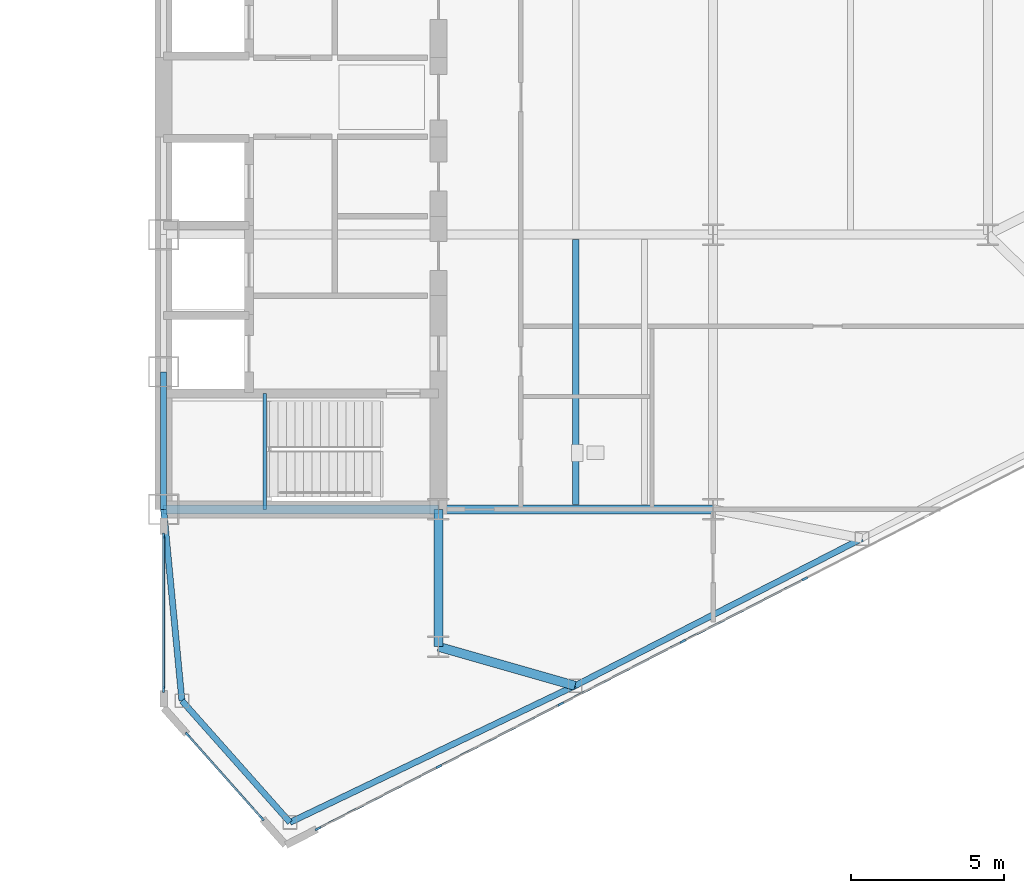
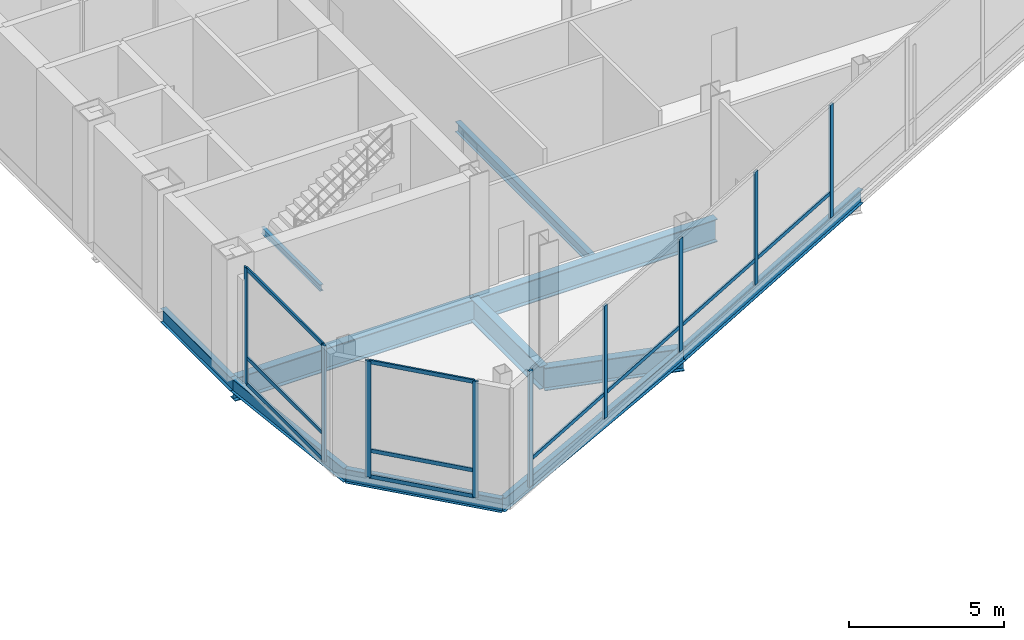
# One storey, part 8 of 22: 19 members, 11 beams, 3 elements without a shape of their own.
"""IFC4 building model written with IfcOpenShell, lengths in metres."""

import ifcopenshell
import ifcopenshell.guid

model = None  # the IFC model being written
_history = None  # IfcOwnerHistory: only IFC2X3 demands one
_inside = {}  # id of a spatial element -> (the spatial element, [elements in it])
_under = {}  # id of a project, library or spatial element -> (it, [spatial elements below it])
_declared = {}  # id of a project -> (the project, [libraries it declares])
_typed = {}  # id of a type object -> (the type object, [elements of that type])
_made_of = {}  # id of a material, layer set ... -> (it, [elements and type objects made of it])


def new_model(schema):
    """Start an empty IFC model of exactly this schema.

    Asked for "IFC4X3", IfcOpenShell would pick the latest addendum, in which some entities
    have other attributes; the version numbers below select the first issue.
    IFC2X3 requires an IfcOwnerHistory on every rooted entity: one is made here for all.
    """
    global model, _history
    if schema == "IFC4X3":
        model = ifcopenshell.file(schema_version=(4, 3, 0, 0))
    else:
        model = ifcopenshell.file(schema=schema)
    _inside.clear()
    _under.clear()
    _declared.clear()
    _typed.clear()
    _made_of.clear()
    _history = None
    if model.schema == "IFC2X3":
        org = make("IfcOrganization", Name="unknown")
        user = make(
            "IfcPersonAndOrganization",
            ThePerson=make("IfcPerson", FamilyName="unknown"),
            TheOrganization=org,
        )
        app = make(
            "IfcApplication",
            ApplicationDeveloper=org,
            Version="unknown",
            ApplicationFullName="unknown",
            ApplicationIdentifier="unknown",
        )
        _history = make(
            "IfcOwnerHistory",
            OwningUser=user,
            OwningApplication=app,
            ChangeAction="ADDED",
            CreationDate=0,
        )
    return model


def make(cls, **values):
    """One entity of the class cls with the attributes given. An attribute that is None is left unset."""
    return model.create_entity(
        cls, **{name: value for name, value in values.items() if value is not None}
    )


def rooted(cls, **values):
    """An entity with a GlobalId (a new one), such as an element, a storey or a relation."""
    return make(cls, GlobalId=ifcopenshell.guid.new(), OwnerHistory=_history, **values)


def si_unit(unit_type, name, prefix=None):
    """IfcSIUnit, for example si_unit("LENGTHUNIT", "METRE", prefix="MILLI")."""
    return make("IfcSIUnit", UnitType=unit_type, Prefix=prefix, Name=name)


def assignment(units):
    """IfcUnitAssignment: the units of a project."""
    return None if units is None else make("IfcUnitAssignment", Units=units)


def point(xyz):
    """IfcCartesianPoint."""
    return None if xyz is None else make("IfcCartesianPoint", Coordinates=xyz)


def direction(xyz):
    """IfcDirection."""
    return None if xyz is None else make("IfcDirection", DirectionRatios=xyz)


def frame(location, z_axis=None, x_axis=None):
    """IfcAxis2Placement3D, a coordinate frame: its origin and axes. An axis left out is left unset."""
    return make(
        "IfcAxis2Placement3D",
        Location=point(location),
        Axis=direction(z_axis),
        RefDirection=direction(x_axis),
    )


def frame_2d(location, x_axis=None):
    """IfcAxis2Placement2D, a coordinate frame in the plane: its origin and x axis."""
    return make(
        "IfcAxis2Placement2D", Location=point(location), RefDirection=direction(x_axis)
    )


def origin():
    """The frame at (0, 0, 0) with its axes left unset."""
    return frame((0.0, 0.0, 0.0))


def origin_2d():
    """The frame at (0, 0) in the plane with its x axis left unset."""
    return frame_2d((0.0, 0.0))


def place(relative_to, where):
    """IfcLocalPlacement: puts the frame where relative to a parent placement (None: the world)."""
    return make(
        "IfcLocalPlacement", PlacementRelTo=relative_to, RelativePlacement=where
    )


def context(
    kind, dimensions, precision=None, world=None, true_north=None, identifier=None
):
    """IfcGeometricRepresentationContext, for example the 3D "Model" context."""
    return make(
        "IfcGeometricRepresentationContext",
        ContextIdentifier=identifier,
        ContextType=kind,
        CoordinateSpaceDimension=dimensions,
        Precision=precision,
        WorldCoordinateSystem=world,
        TrueNorth=true_north,
    )


def subcontext(parent, identifier, kind, view, scale=None):
    """IfcGeometricRepresentationSubContext, for example "Body" below "Model"."""
    return make(
        "IfcGeometricRepresentationSubContext",
        ContextIdentifier=identifier,
        ContextType=kind,
        ParentContext=parent,
        TargetScale=scale,
        TargetView=view,
    )


def project(units=None, contexts=None):
    """IfcProject with its units and contexts."""
    return rooted(
        "IfcProject",
        Name="project",
        RepresentationContexts=contexts,
        UnitsInContext=assignment(units),
    )


def spatial(cls, under=None, at=None, **own):
    """A site, building, storey or space (cls), placed at a placement, below another one or the project."""
    s = rooted(cls, ObjectPlacement=at, **own)
    if under is not None:
        _under.setdefault(under.id(), (under, []))[1].append(s)
    return s


def profile(cls, at=None, kind="AREA", **sizes):
    """A parametric profile (cls). Its sizes go by their IFC names, for example OverallWidth=200.0."""
    return make(cls, ProfileType=kind, Position=at, **sizes)


def rectangle(**sizes):
    """IfcRectangleProfileDef."""
    return profile("IfcRectangleProfileDef", **sizes)


def i_section(**sizes):
    """IfcIShapeProfileDef."""
    return profile("IfcIShapeProfileDef", **sizes)


def extrude(swept, where, along, depth):
    """IfcExtrudedAreaSolid: the profile swept, set in the frame where, extruded along a direction by depth."""
    return make(
        "IfcExtrudedAreaSolid",
        SweptArea=swept,
        Position=where,
        ExtrudedDirection=direction(along),
        Depth=depth,
    )


def shape(context_of_items, identifier, shape_type, items):
    """IfcShapeRepresentation: the items that make up one representation, for example the "Body"."""
    return make(
        "IfcShapeRepresentation",
        ContextOfItems=context_of_items,
        RepresentationIdentifier=identifier,
        RepresentationType=shape_type,
        Items=items,
    )


def source(mapping_origin, context_of_items, identifier, shape_type, items):
    """IfcRepresentationMap: a shape defined once, which mapped items show again and again."""
    return make(
        "IfcRepresentationMap",
        MappingOrigin=mapping_origin,
        MappedRepresentation=shape(context_of_items, identifier, shape_type, items),
    )


def transform(
    local_origin,
    x_axis=None,
    y_axis=None,
    z_axis=None,
    scale=None,
    scale2=None,
    scale3=None,
    uniform=True,
):
    """IfcCartesianTransformationOperator3D, or its non-uniform kind. x_axis, y_axis, z_axis: its Axis1, 2, 3."""
    if uniform:
        return make(
            "IfcCartesianTransformationOperator3D",
            Axis1=direction(x_axis),
            Axis2=direction(y_axis),
            LocalOrigin=point(local_origin),
            Scale=scale,
            Axis3=direction(z_axis),
        )
    return make(
        "IfcCartesianTransformationOperator3DnonUniform",
        Axis1=direction(x_axis),
        Axis2=direction(y_axis),
        LocalOrigin=point(local_origin),
        Scale=scale,
        Axis3=direction(z_axis),
        Scale2=scale2,
        Scale3=scale3,
    )


def mapped(mapping_source, mapping_target):
    """IfcMappedItem: shows the shape of a source again, moved by a transform."""
    return make(
        "IfcMappedItem", MappingSource=mapping_source, MappingTarget=mapping_target
    )


def material(Name=None, Category=None):
    """IfcMaterial."""
    return make("IfcMaterial", Name=Name, Category=Category)


def layer(
    of_material, thickness, ventilated=None, Name=None, Category=None, Priority=None
):
    """IfcMaterialLayer: one layer of a wall or slab, of a material (None: an air gap)."""
    return make(
        "IfcMaterialLayer",
        Material=of_material,
        LayerThickness=thickness,
        IsVentilated=ventilated,
        Name=Name,
        Category=Category,
        Priority=Priority,
    )


def layer_set(layers, Name=None):
    """IfcMaterialLayerSet."""
    return make("IfcMaterialLayerSet", MaterialLayers=layers, LayerSetName=Name)


def material_profile(
    of_material, cross_section, Name=None, Category=None, Priority=None
):
    """IfcMaterialProfile: a cross section and its material."""
    return make(
        "IfcMaterialProfile",
        Name=Name,
        Material=of_material,
        Profile=cross_section,
        Priority=Priority,
        Category=Category,
    )


def profile_set(profiles, Name=None, composite=None):
    """IfcMaterialProfileSet."""
    return make(
        "IfcMaterialProfileSet",
        Name=Name,
        MaterialProfiles=profiles,
        CompositeProfile=composite,
    )


def made_of(thing, what):
    """Note that an element or type object is made of a material, layer set ...; save() writes the relation."""
    if what is not None:
        _made_of.setdefault(what.id(), (what, []))[1].append(thing)
    return thing


def type_object(cls, material=None, **own):
    """A type object (cls), such as IfcWallType, which elements share."""
    return made_of(rooted(cls, **own), material)


def type_shapes(of_type, sources):
    """Give a type object the sources (RepresentationMaps) that its elements show as mapped items."""
    of_type.RepresentationMaps = sources


def element(
    cls,
    number,
    at=None,
    inside=None,
    cuts=None,
    type_object=None,
    material=None,
    context=None,
    identifier="Body",
    shape_type=None,
    held_by="IfcProductDefinitionShape",
    body=None,
    shapes=None,
    **own,
):
    """One element of the class cls, such as IfcWall. Its Tag is "e" and its number.

    at: its placement. inside: the storey or other place that contains it. cuts: it is an
    opening in that element (IfcRelVoidsElement). A single representation is given by context,
    identifier, shape_type and body (its items); several are given by shapes. held_by: the class
    of the entity that holds the representations. save() writes the other relations.
    """
    e = rooted(cls, Tag="e%d" % number, ObjectPlacement=at, **own)
    if body is not None:
        shapes = [shape(context, identifier, shape_type, body)]
    if shapes is not None:
        e.Representation = make(held_by, Representations=shapes)
    if inside is not None:
        _inside.setdefault(inside.id(), (inside, []))[1].append(e)
    if cuts is not None:
        rooted(
            "IfcRelVoidsElement", RelatingBuildingElement=cuts, RelatedOpeningElement=e
        )
    if type_object is not None:
        _typed.setdefault(type_object.id(), (type_object, []))[1].append(e)
    return made_of(e, material)


def aggregate(whole, parts):
    """IfcRelAggregates: a whole, such as a stair, and the parts it consists of."""
    return rooted("IfcRelAggregates", RelatingObject=whole, RelatedObjects=parts)


def save(model, path):
    """Write the relations noted so far, then the file.

    IfcRelAggregates (storeys below a building ...), IfcRelContainedInSpatialStructure (elements
    in a storey), IfcRelDefinesByType, IfcRelAssociatesMaterial and IfcRelDeclares: one each for
    every whole, place, type object, material and project.
    """
    for whole, parts in _under.values():
        aggregate(whole, parts)
    for where, things in _inside.values():
        rooted(
            "IfcRelContainedInSpatialStructure",
            RelatedElements=things,
            RelatingStructure=where,
        )
    for kind, things in _typed.values():
        rooted("IfcRelDefinesByType", RelatedObjects=things, RelatingType=kind)
    for what, things in _made_of.values():
        rooted("IfcRelAssociatesMaterial", RelatedObjects=things, RelatingMaterial=what)
    for by, libraries in _declared.values():
        rooted("IfcRelDeclares", RelatingContext=by, RelatedDefinitions=libraries)
    model.write(path)


model = new_model("IFC4")

# Units and contexts
model_context = context("Model", 3, precision=1e-05, world=origin(), true_north=direction((0.0, 1.0)))
body_context = subcontext(model_context, "Body", "Model", "MODEL_VIEW")
ifc_project = project(units=[si_unit("LENGTHUNIT", "METRE"), si_unit("AREAUNIT", "SQUARE_METRE"), si_unit("VOLUMEUNIT", "CUBIC_METRE"), si_unit("PLANEANGLEUNIT", "RADIAN"), si_unit("MASSUNIT", "GRAM", prefix="KILO")], contexts=[model_context])

# Site, building, storey
site_placement = place(None, origin())
site = spatial("IfcSite", under=ifc_project, at=site_placement, CompositionType="ELEMENT")
building_placement = place(site_placement, origin())
building = spatial("IfcBuilding", under=site, at=building_placement, Name="Seokmaru Belvedere", CompositionType="ELEMENT")
storey_placement = place(building_placement, frame((0.0, 0.0, 135.60009765625)))
storey = spatial("IfcBuildingStorey", under=building, at=storey_placement, Name="L36", CompositionType="ELEMENT", Elevation=135.60009765625)

# Beams
ifc_material_1 = material(Name="Steel SM355 (355 MPa)", Category="steel")
ifc_material_profile_1 = material_profile(ifc_material_1, i_section(OverallWidth=0.300048828125, OverallDepth=0.89990234375, WebThickness=0.01611328125, FlangeThickness=0.028076171875, at=origin_2d()), Name="H-900x300x16x28")
ifc_profile_set_1 = profile_set([ifc_material_profile_1], Name="Steel SM355 (355 MPa)")
beam_type_1 = type_object("IfcBeamType", Name="Refuge Floor Girder H-900", PredefinedType="BEAM", material=ifc_profile_set_1)
shared_shape_1 = source(origin(), body_context, "Body", "SweptSolid", [
    extrude(i_section(OverallWidth=0.300048828125, OverallDepth=0.89990234375, WebThickness=0.01611328125, FlangeThickness=0.028076171875, at=origin_2d()), origin(), (0.0, 0.0, 1.0), 4.5),
])
beam_1_placement = place(storey_placement, frame((36.5, -18.0, -0.710205078125), z_axis=(0.0, 1.0, 0.0), x_axis=(-1.0, 0.0, 0.0)))
element("IfcBeam", 1, at=beam_1_placement, inside=storey, type_object=beam_type_1, Name="L36 E Core Shoulder Girder S", PredefinedType="BEAM", context=body_context, shape_type="MappedRepresentation", body=[
    mapped(shared_shape_1, transform((0.0, 0.0, 0.0), scale=1.0)),
])
shared_shape_2 = source(origin(), body_context, "Body", "SweptSolid", [
    extrude(i_section(OverallWidth=0.300048828125, OverallDepth=0.89990234375, WebThickness=0.01611328125, FlangeThickness=0.028076171875, at=origin_2d()), origin(), (0.0, 0.0, 1.0), 9.0),
])
for number, where, z_axis, x_axis, name in (
    (2, (27.5, -13.5, -0.710205078125), (1.0, 0.0, 0.0), (0.0, 1.0, 0.0), "L36 E Core Tie Girder 1"),
    (3, (36.5, -13.5, -0.710205078125), (1.0, 0.0, 0.0), (0.0, 1.0, 0.0), "L36 E Wing Primary Girder 1"),
):
    element("IfcBeam", number, at=place(storey_placement, frame(where, z_axis=z_axis, x_axis=x_axis)), inside=storey, type_object=beam_type_1, Name=name, PredefinedType="BEAM", context=body_context, shape_type="MappedRepresentation", body=[
        mapped(shared_shape_2, transform((0.0, 0.0, 0.0), scale=1.0)),
    ])
ifc_material_profile_2 = material_profile(ifc_material_1, i_section(OverallWidth=0.199951171875, OverallDepth=0.39990234375, WebThickness=0.008056640625, FlangeThickness=0.012939453125, at=origin_2d()), Name="H-400x200x8x13")
ifc_profile_set_2 = profile_set([ifc_material_profile_2], Name="Steel SM355 (355 MPa)")
beam_type_2 = type_object("IfcBeamType", Name="Secondary Floor Joist H-400", PredefinedType="JOIST", material=ifc_profile_set_2)
shared_shape_3 = source(origin(), body_context, "Body", "SweptSolid", [
    extrude(i_section(OverallWidth=0.199951171875, OverallDepth=0.39990234375, WebThickness=0.008056640625, FlangeThickness=0.012939453125, at=origin_2d()), origin(), (0.0, 0.0, 1.0), 8.68994140625),
])
type_shapes(beam_type_2, [shared_shape_3])
beam_2_placement = place(storey_placement, frame((41.0, -13.344970703125, -0.460205078125), z_axis=(0.0, 1.0, 0.0), x_axis=(-1.0, 0.0, 0.0)))
element("IfcBeam", 4, at=beam_2_placement, inside=storey, type_object=beam_type_2, Name="L36 E Secondary Floor Joist 1", PredefinedType="JOIST", context=body_context, shape_type="MappedRepresentation", body=[
    mapped(shared_shape_3, transform((0.0, 0.0, 0.0), scale=1.0)),
])
ifc_material_profile_3 = material_profile(ifc_material_1, i_section(OverallWidth=0.199951171875, OverallDepth=0.550048828125, WebThickness=0.010009765625, FlangeThickness=0.01611328125, at=origin_2d()), Name="H-550x200x10x16")
ifc_profile_set_3 = profile_set([ifc_material_profile_3], Name="Steel SM355 (355 MPa)")
beam_type_3 = type_object("IfcBeamType", Name="Sky-Lobby Spandrel Beam H-550", PredefinedType="SPANDREL", material=ifc_profile_set_3)
shared_shape_4 = source(origin(), body_context, "Body", "SweptSolid", [
    extrude(i_section(OverallWidth=0.199951171875, OverallDepth=0.550048828125, WebThickness=0.010009765625, FlangeThickness=0.01611328125, at=origin_2d()), origin(), (0.0, 0.0, 1.0), 4.5),
])
beam_3_placement = place(storey_placement, frame((27.5, -13.5, -0.53515625), z_axis=(0.0, 1.0, 0.0), x_axis=(-1.0, 0.0, 0.0)))
element("IfcBeam", 5, at=beam_3_placement, inside=storey, type_object=beam_type_3, Name="L36 E Portal Spine Spandrel 1", PredefinedType="SPANDREL", context=body_context, shape_type="MappedRepresentation", body=[
    mapped(shared_shape_4, transform((0.0, 0.0, 0.0), scale=1.0)),
])
shared_shape_5 = source(origin(), body_context, "Body", "SweptSolid", [
    extrude(i_section(OverallWidth=0.199951171875, OverallDepth=0.550048828125, WebThickness=0.010009765625, FlangeThickness=0.01611328125, at=origin_2d()), origin(), (0.0, 0.0, 1.0), 10.353759765625),
])
beam_4_placement = place(storey_placement, frame((31.6396484375, -23.75390625, -0.53515625), z_axis=(0.901713202822, 0.432334708134, 0.0), x_axis=(-0.432334708134, 0.901713202822, 0.0)))
element("IfcBeam", 6, at=beam_4_placement, inside=storey, type_object=beam_type_3, Name="L36 E Faceted Flank Spandrel S-1", PredefinedType="SPANDREL", context=body_context, shape_type="MappedRepresentation", body=[
    mapped(shared_shape_5, transform((0.0, 0.0, 0.0), scale=1.0)),
])
shared_shape_6 = source(origin(), body_context, "Body", "SweptSolid", [
    extrude(i_section(OverallWidth=0.199951171875, OverallDepth=0.550048828125, WebThickness=0.010009765625, FlangeThickness=0.01611328125, at=origin_2d()), origin(), (0.0, 0.0, 1.0), 10.56689453125),
])
beam_5_placement = place(storey_placement, frame((40.975830078125, -19.277587890625, -0.53515625), z_axis=(0.889701972758, 0.45654178305, 0.0), x_axis=(-0.45654178305, 0.889701972758, 0.0)))
element("IfcBeam", 7, at=beam_5_placement, inside=storey, type_object=beam_type_3, Name="L36 E Faceted Flank Spandrel S-2", PredefinedType="SPANDREL", context=body_context, shape_type="MappedRepresentation", body=[
    mapped(shared_shape_6, transform((0.0, 0.0, 0.0), scale=1.0)),
])
shared_shape_7 = source(origin(), body_context, "Body", "SweptSolid", [
    extrude(i_section(OverallWidth=0.199951171875, OverallDepth=0.550048828125, WebThickness=0.010009765625, FlangeThickness=0.01611328125, at=origin_2d()), origin(), (0.0, 0.0, 1.0), 5.32763671875),
])
beam_6_placement = place(storey_placement, frame((31.6396484375, -23.75390625, -0.53515625), z_axis=(-0.66436952742, 0.74740426212, 0.0), x_axis=(-0.74740426212, -0.66436952742, 0.0)))
element("IfcBeam", 8, at=beam_6_placement, inside=storey, type_object=beam_type_3, Name="L36 E Shoulder Chamfer Spandrel S", PredefinedType="SPANDREL", context=body_context, shape_type="MappedRepresentation", body=[
    mapped(shared_shape_7, transform((0.0, 0.0, 0.0), scale=1.0)),
])
shared_shape_8 = source(origin(), body_context, "Body", "SweptSolid", [
    extrude(i_section(OverallWidth=0.199951171875, OverallDepth=0.550048828125, WebThickness=0.010009765625, FlangeThickness=0.01611328125, at=origin_2d()), origin(), (0.0, 0.0, 1.0), 6.300537109375),
])
type_shapes(beam_type_3, [shared_shape_4, shared_shape_5, shared_shape_6, shared_shape_7, shared_shape_8])
beam_7_placement = place(storey_placement, frame((28.10009765625, -19.77197265625, -0.53515625), z_axis=(-0.095244287992, 0.995453929424, 0.0), x_axis=(-0.995453929424, -0.095244287992, 0.0)))
element("IfcBeam", 9, at=beam_7_placement, inside=storey, type_object=beam_type_3, Name="L36 E Shoulder Spine Spandrel S", PredefinedType="SPANDREL", context=body_context, shape_type="MappedRepresentation", body=[
    mapped(shared_shape_8, transform((0.0, 0.0, 0.0), scale=1.0)),
])
shared_shape_9 = source(origin(), body_context, "Body", "SweptSolid", [
    extrude(i_section(OverallWidth=0.300048828125, OverallDepth=0.89990234375, WebThickness=0.01611328125, FlangeThickness=0.028076171875, at=origin_2d()), origin(), (0.0, 0.0, 1.0), 4.654541015625),
])
type_shapes(beam_type_1, [shared_shape_1, shared_shape_2, shared_shape_9])
beam_8_placement = place(storey_placement, frame((40.975830078125, -19.277587890625, -0.710205078125), z_axis=(-0.961593192625, 0.274478654721, 0.0), x_axis=(-0.274478654721, -0.961593192625, 0.0)))
element("IfcBeam", 10, at=beam_8_placement, inside=storey, type_object=beam_type_1, Name="L36 E Flank Radial Floor Girder S-1", PredefinedType="BEAM", context=body_context, shape_type="MappedRepresentation", body=[
    mapped(shared_shape_9, transform((0.0, 0.0, 0.0), scale=1.0)),
])

# Curtain wall, members
ifc_material_2 = material(Name="Bronze Triple Insulating Glass", Category="glass")
ifc_layer = layer(ifc_material_2, 0.195068359375)
ifc_layer_set = layer_set([ifc_layer], Name="Bronze Triple Insulating Glass")
curtain_wall_type = type_object("IfcCurtainWallType", Name="Sky-Lobby and Mid-Rise Curtain Wall System CW-4", PredefinedType="NOTDEFINED", material=ifc_layer_set)
curtain_wall_1_placement = place(storey_placement, origin())
curtain_wall_1 = element("IfcCurtainWall", 11, at=curtain_wall_1_placement, inside=storey, type_object=curtain_wall_type, Name="L36 Curtain Wall EF6", PredefinedType="NOTDEFINED")
ifc_material_3 = material(Name="Anodised Bronze Aluminium", Category="aluminium")
ifc_material_profile_4 = material_profile(ifc_material_3, rectangle(XDim=0.06494140625, YDim=0.14990234375, at=origin_2d()), Name="CW-T-65x150")
ifc_profile_set_4 = profile_set([ifc_material_profile_4], Name="Anodised Bronze Aluminium")
member_type_1 = type_object("IfcMemberType", Name="Bronze Unitised Transom 65x150", PredefinedType="USERDEFINED", material=ifc_profile_set_4)
shared_shape_10 = source(origin(), body_context, "Body", "SweptSolid", [
    extrude(rectangle(XDim=0.06494140625, YDim=0.14990234375, at=origin_2d()), origin(), (0.0, 0.0, 1.0), 3.580810546875),
])
member_1_placement = place(storey_placement, frame((28.310546875, -20.911865234375, 0.032470703125), z_axis=(0.66436383883, -0.747409318684, 0.0), x_axis=(0.747409318684, 0.66436383883, 0.0)))
member_1 = element("IfcMember", 12, at=member_1_placement, type_object=member_type_1, Name="CW:L36:EF6 Continuous Transom 1", ObjectType="TRANSOM", PredefinedType="USERDEFINED", context=body_context, shape_type="MappedRepresentation", body=[
    mapped(shared_shape_10, transform((0.0, 0.0, 0.0), scale=1.0)),
])
member_2_placement = place(storey_placement, frame((28.310546875, -20.911865234375, 4.54736328125), z_axis=(0.66436383883, -0.747409318684, 0.0), x_axis=(0.747409318684, 0.66436383883, 0.0)))
member_2 = element("IfcMember", 13, at=member_2_placement, type_object=member_type_1, Name="CW:L36:EF6 Continuous Transom 2", ObjectType="TRANSOM", PredefinedType="USERDEFINED", context=body_context, shape_type="MappedRepresentation", body=[
    mapped(shared_shape_10, transform((0.0, 0.0, 0.0), scale=1.0)),
])
member_3_placement = place(storey_placement, frame((28.310546875, -20.911865234375, 1.0498046875), z_axis=(0.66436383883, -0.747409318684, 0.0), x_axis=(0.747409318684, 0.66436383883, 0.0)))
member_3 = element("IfcMember", 14, at=member_3_placement, type_object=member_type_1, Name="CW:L36:EF6 Spandrel Transom 1", ObjectType="TRANSOM", PredefinedType="USERDEFINED", context=body_context, shape_type="MappedRepresentation", body=[
    mapped(shared_shape_10, transform((0.0, 0.0, 0.0), scale=1.0)),
])

# Curtain wall, member
curtain_wall_2_placement = place(storey_placement, origin())
curtain_wall_2 = element("IfcCurtainWall", 15, at=curtain_wall_2_placement, inside=storey, type_object=curtain_wall_type, Name="L36 Curtain Wall EF1", PredefinedType="NOTDEFINED")
ifc_material_profile_5 = material_profile(ifc_material_3, rectangle(XDim=0.070068359375, YDim=0.195068359375, at=origin_2d()), Name="CW-M-70x195")
ifc_profile_set_5 = profile_set([ifc_material_profile_5], Name="Anodised Bronze Aluminium")
member_type_2 = type_object("IfcMemberType", Name="Bronze Unitised Mullion 70x195", PredefinedType="MULLION", material=ifc_profile_set_5)
shared_shape_11 = source(origin(), body_context, "Body", "SweptSolid", [
    extrude(rectangle(XDim=0.070068359375, YDim=0.195068359375, at=origin_2d()), origin(), (0.0, 0.0, 1.0), 4.579833984375),
])
member_4_placement = place(storey_placement, frame((32.55419921875, -23.958984375, 0.0), z_axis=(0.0, 0.0, 1.0), x_axis=(-0.456554528263, 0.889695432562, 0.0)))
member_4 = element("IfcMember", 16, at=member_4_placement, type_object=member_type_2, Name="CW:L36:EF1 Mullion 1", PredefinedType="MULLION", context=body_context, shape_type="MappedRepresentation", body=[
    mapped(shared_shape_11, transform((0.0, 0.0, 0.0), scale=1.0)),
])

# Curtain wall, members
curtain_wall_3_placement = place(storey_placement, origin())
curtain_wall_3 = element("IfcCurtainWall", 17, at=curtain_wall_3_placement, inside=storey, type_object=curtain_wall_type, Name="L36 Curtain Wall ESP_1", PredefinedType="NOTDEFINED")
member_5_placement = place(storey_placement, frame((27.5, -14.364990234375, 0.0), z_axis=(0.0, 0.0, 1.0), x_axis=(1.0, 0.0, 0.0)))
member_5 = element("IfcMember", 18, at=member_5_placement, type_object=member_type_2, Name="CW:L36:ESP_1 Mullion 1", PredefinedType="MULLION", context=body_context, shape_type="MappedRepresentation", body=[
    mapped(shared_shape_11, transform((0.0, 0.0, 0.0), scale=1.0)),
])
member_6_placement = place(storey_placement, frame((27.5, -19.39501953125, 0.0), z_axis=(0.0, 0.0, 1.0), x_axis=(1.0, 0.0, 0.0)))
member_6 = element("IfcMember", 19, at=member_6_placement, type_object=member_type_2, Name="CW:L36:ESP_1 Mullion 2", PredefinedType="MULLION", context=body_context, shape_type="MappedRepresentation", body=[
    mapped(shared_shape_11, transform((0.0, 0.0, 0.0), scale=1.0)),
])

# Member
member_7_placement = place(storey_placement, frame((28.287353515625, -20.8857421875, 0.0), z_axis=(0.0, 0.0, 1.0), x_axis=(0.747409774804, 0.664363325694, 0.0)))
member_7 = element("IfcMember", 20, at=member_7_placement, type_object=member_type_2, Name="CW:L36:EF6 Mullion 1", PredefinedType="MULLION", context=body_context, shape_type="MappedRepresentation", body=[
    mapped(shared_shape_11, transform((0.0, 0.0, 0.0), scale=1.0)),
])

member_8_placement = place(storey_placement, frame((30.712646484375, -23.6142578125, 0.0), z_axis=(0.0, 0.0, 1.0), x_axis=(0.747409774804, 0.664363325694, 0.0)))
member_8 = element("IfcMember", 21, at=member_8_placement, type_object=member_type_2, Name="CW:L36:EF6 Mullion 2", PredefinedType="MULLION", context=body_context, shape_type="MappedRepresentation", body=[
    mapped(shared_shape_11, transform((0.0, 0.0, 0.0), scale=1.0)),
])

aggregate(curtain_wall_1, [member_7, member_8, member_1, member_2, member_3])

shared_shape_12 = source(origin(), body_context, "Body", "SweptSolid", [
    extrude(rectangle(XDim=0.06494140625, YDim=0.14990234375, at=origin_2d()), origin(), (0.0, 0.0, 1.0), 4.960205078125),
])
member_9_placement = place(storey_placement, frame((27.5, -14.39990234375, 0.032470703125), z_axis=(0.0, -1.0, 0.0), x_axis=(1.0, 0.0, 0.0)))
member_9 = element("IfcMember", 22, at=member_9_placement, type_object=member_type_1, Name="CW:L36:ESP_1 Continuous Transom 1", ObjectType="TRANSOM", PredefinedType="USERDEFINED", context=body_context, shape_type="MappedRepresentation", body=[
    mapped(shared_shape_12, transform((0.0, 0.0, 0.0), scale=1.0)),
])

member_10_placement = place(storey_placement, frame((27.5, -14.39990234375, 4.54736328125), z_axis=(0.0, -1.0, 0.0), x_axis=(1.0, 0.0, 0.0)))
member_10 = element("IfcMember", 23, at=member_10_placement, type_object=member_type_1, Name="CW:L36:ESP_1 Continuous Transom 2", ObjectType="TRANSOM", PredefinedType="USERDEFINED", context=body_context, shape_type="MappedRepresentation", body=[
    mapped(shared_shape_12, transform((0.0, 0.0, 0.0), scale=1.0)),
])

member_11_placement = place(storey_placement, frame((27.5, -14.39990234375, 1.0498046875), z_axis=(0.0, -1.0, 0.0), x_axis=(1.0, 0.0, 0.0)))
member_11 = element("IfcMember", 24, at=member_11_placement, type_object=member_type_1, Name="CW:L36:ESP_1 Spandrel Transom 1", ObjectType="TRANSOM", PredefinedType="USERDEFINED", context=body_context, shape_type="MappedRepresentation", body=[
    mapped(shared_shape_12, transform((0.0, 0.0, 0.0), scale=1.0)),
])

aggregate(curtain_wall_3, [member_5, member_6, member_9, member_10, member_11])

shared_shape_13 = source(origin(), body_context, "Body", "SweptSolid", [
    extrude(rectangle(XDim=0.070068359375, YDim=0.195068359375, at=origin_2d()), origin(), (0.0, 0.0, 1.0), 4.449951171875),
])
type_shapes(member_type_2, [shared_shape_11, shared_shape_13])
member_12_placement = place(storey_placement, frame((36.51806640625, -21.925048828125, 0.06494140625), z_axis=(0.0, 0.0, 1.0), x_axis=(-0.456554528263, 0.889695432562, 0.0)))
member_12 = element("IfcMember", 25, at=member_12_placement, type_object=member_type_2, Name="CW:L36:EF1 Mullion 2", PredefinedType="MULLION", context=body_context, shape_type="MappedRepresentation", body=[
    mapped(shared_shape_13, transform((0.0, 0.0, 0.0), scale=1.0)),
])

member_13_placement = place(storey_placement, frame((40.5126953125, -19.875, 0.06494140625), z_axis=(0.0, 0.0, 1.0), x_axis=(-0.456554528263, 0.889695432562, 0.0)))
member_13 = element("IfcMember", 26, at=member_13_placement, type_object=member_type_2, Name="CW:L36:EF1 Mullion 3", PredefinedType="MULLION", context=body_context, shape_type="MappedRepresentation", body=[
    mapped(shared_shape_13, transform((0.0, 0.0, 0.0), scale=1.0)),
])

member_14_placement = place(storey_placement, frame((44.5078125, -17.824951171875, 0.06494140625), z_axis=(0.0, 0.0, 1.0), x_axis=(-0.456554528263, 0.889695432562, 0.0)))
member_14 = element("IfcMember", 27, at=member_14_placement, type_object=member_type_2, Name="CW:L36:EF1 Mullion 4", PredefinedType="MULLION", context=body_context, shape_type="MappedRepresentation", body=[
    mapped(shared_shape_13, transform((0.0, 0.0, 0.0), scale=1.0)),
])

member_15_placement = place(storey_placement, frame((48.502685546875, -15.77490234375, 0.06494140625), z_axis=(0.0, 0.0, 1.0), x_axis=(-0.456554528263, 0.889695432562, 0.0)))
member_15 = element("IfcMember", 28, at=member_15_placement, type_object=member_type_2, Name="CW:L36:EF1 Mullion 5", PredefinedType="MULLION", context=body_context, shape_type="MappedRepresentation", body=[
    mapped(shared_shape_13, transform((0.0, 0.0, 0.0), scale=1.0)),
])

shared_shape_14 = source(origin(), body_context, "Body", "SweptSolid", [
    extrude(rectangle(XDim=0.06494140625, YDim=0.14990234375, at=origin_2d()), origin(), (0.0, 0.0, 1.0), 4.38525390625),
])
member_16_placement = place(storey_placement, frame((32.58544921875, -23.943115234375, 1.0498046875), z_axis=(0.889678887593, 0.456586768282, 0.0), x_axis=(-0.456586768282, 0.889678887593, 0.0)))
member_16 = element("IfcMember", 29, at=member_16_placement, type_object=member_type_1, Name="CW:L36:EF1 Spandrel Transom 1", ObjectType="TRANSOM", PredefinedType="USERDEFINED", context=body_context, shape_type="MappedRepresentation", body=[
    mapped(shared_shape_14, transform((0.0, 0.0, 0.0), scale=1.0)),
])

shared_shape_15 = source(origin(), body_context, "Body", "SweptSolid", [
    extrude(rectangle(XDim=0.06494140625, YDim=0.14990234375, at=origin_2d()), origin(), (0.0, 0.0, 1.0), 4.420166015625),
])
type_shapes(member_type_1, [shared_shape_10, shared_shape_12, shared_shape_14, shared_shape_15])
member_17_placement = place(storey_placement, frame((36.549072265625, -21.908935546875, 1.0498046875), z_axis=(0.889716805756, 0.456512875563, 0.0), x_axis=(-0.456512875563, 0.889716805756, 0.0)))
member_17 = element("IfcMember", 30, at=member_17_placement, type_object=member_type_1, Name="CW:L36:EF1 Spandrel Transom 2", ObjectType="TRANSOM", PredefinedType="USERDEFINED", context=body_context, shape_type="MappedRepresentation", body=[
    mapped(shared_shape_15, transform((0.0, 0.0, 0.0), scale=1.0)),
])

member_18_placement = place(storey_placement, frame((40.5439453125, -19.85888671875, 1.0498046875), z_axis=(0.889716805756, 0.456512875563, 0.0), x_axis=(-0.456512875563, 0.889716805756, 0.0)))
member_18 = element("IfcMember", 31, at=member_18_placement, type_object=member_type_1, Name="CW:L36:EF1 Spandrel Transom 3", ObjectType="TRANSOM", PredefinedType="USERDEFINED", context=body_context, shape_type="MappedRepresentation", body=[
    mapped(shared_shape_15, transform((0.0, 0.0, 0.0), scale=1.0)),
])

member_19_placement = place(storey_placement, frame((44.538818359375, -17.80908203125, 1.0498046875), z_axis=(0.88969437082, 0.456556597293, 0.0), x_axis=(-0.456556597293, 0.88969437082, 0.0)))
member_19 = element("IfcMember", 32, at=member_19_placement, type_object=member_type_1, Name="CW:L36:EF1 Spandrel Transom 4", ObjectType="TRANSOM", PredefinedType="USERDEFINED", context=body_context, shape_type="MappedRepresentation", body=[
    mapped(shared_shape_15, transform((0.0, 0.0, 0.0), scale=1.0)),
])

aggregate(curtain_wall_2, [member_4, member_12, member_13, member_14, member_15, member_16, member_17, member_18, member_19])

# Beam
ifc_material_profile_6 = material_profile(ifc_material_1, i_section(OverallWidth=0.125, OverallDepth=0.25, WebThickness=0.006103515625, FlangeThickness=0.009033203125, at=origin_2d()), Name="H-250x125x6x9")
ifc_profile_set_6 = profile_set([ifc_material_profile_6], Name="Steel SM355 (355 MPa)")
beam_type_4 = type_object("IfcBeamType", Name="Stair Mid-Landing Support Beam H-250", PredefinedType="JOIST", material=ifc_profile_set_6)
shared_shape_16 = source(origin(), body_context, "Body", "SweptSolid", [
    extrude(i_section(OverallWidth=0.125, OverallDepth=0.25, WebThickness=0.006103515625, FlangeThickness=0.009033203125, at=origin_2d()), origin(), (0.0, 0.0, 1.0), 3.800048828125),
])
type_shapes(beam_type_4, [shared_shape_16])
beam_9_placement = place(storey_placement, frame((30.81005859375, -13.5, 2.074951171875), z_axis=(0.0, 1.0, 0.0), x_axis=(-1.0, 0.0, 0.0)))
element("IfcBeam", 33, at=beam_9_placement, inside=storey, type_object=beam_type_4, Name="L36 Stair ST-E1 Mid-Landing Support Beam 1", PredefinedType="JOIST", context=body_context, shape_type="MappedRepresentation", body=[
    mapped(shared_shape_16, transform((0.0, 0.0, 0.0), scale=1.0)),
])

save(model, "model.ifc")
